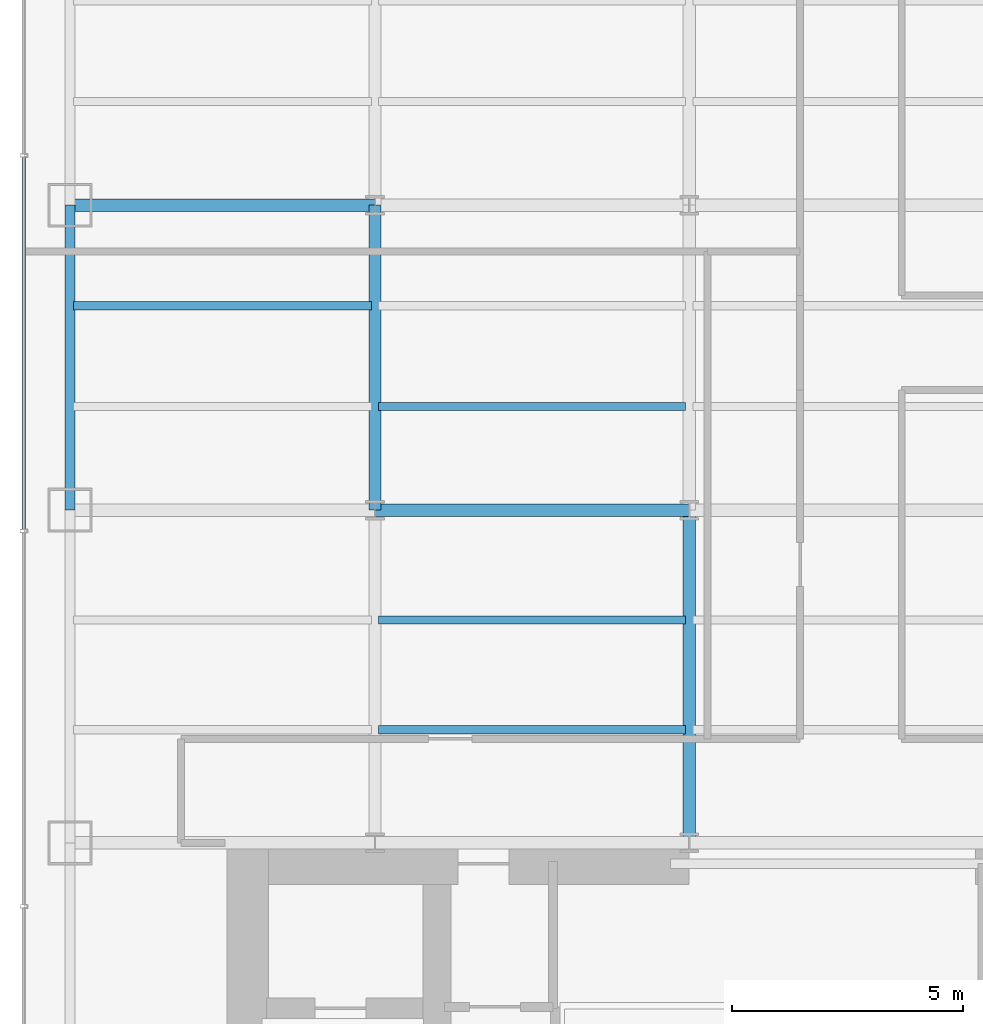
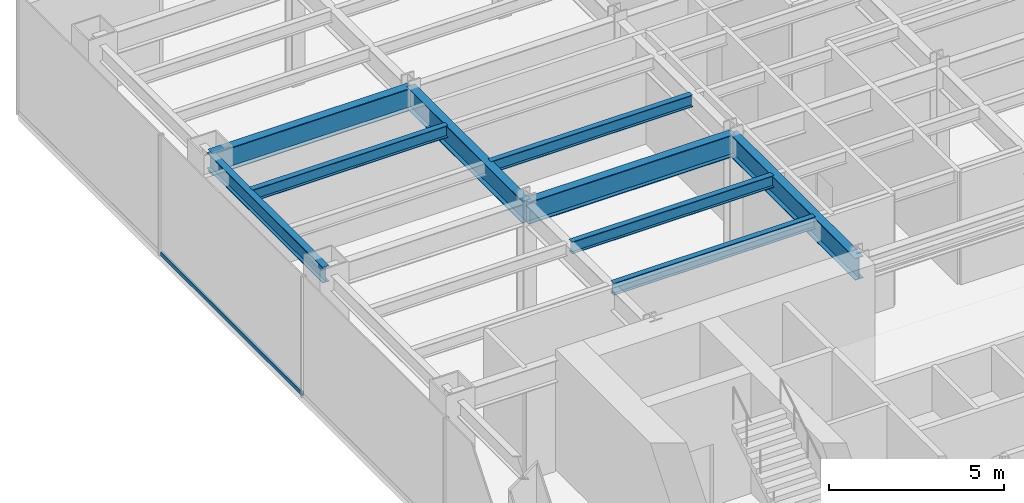
# One storey, part 5 of 35: 9 beams, 1 member, 1 element without a shape of its own.
"""IFC4 building model written with IfcOpenShell, lengths in metres."""

import ifcopenshell
import ifcopenshell.guid

model = None  # the IFC model being written
_history = None  # IfcOwnerHistory: only IFC2X3 demands one
_inside = {}  # id of a spatial element -> (the spatial element, [elements in it])
_under = {}  # id of a project, library or spatial element -> (it, [spatial elements below it])
_declared = {}  # id of a project -> (the project, [libraries it declares])
_typed = {}  # id of a type object -> (the type object, [elements of that type])
_made_of = {}  # id of a material, layer set ... -> (it, [elements and type objects made of it])


def new_model(schema):
    """Start an empty IFC model of exactly this schema.

    Asked for "IFC4X3", IfcOpenShell would pick the latest addendum, in which some entities
    have other attributes; the version numbers below select the first issue.
    IFC2X3 requires an IfcOwnerHistory on every rooted entity: one is made here for all.
    """
    global model, _history
    if schema == "IFC4X3":
        model = ifcopenshell.file(schema_version=(4, 3, 0, 0))
    else:
        model = ifcopenshell.file(schema=schema)
    _inside.clear()
    _under.clear()
    _declared.clear()
    _typed.clear()
    _made_of.clear()
    _history = None
    if model.schema == "IFC2X3":
        org = make("IfcOrganization", Name="unknown")
        user = make(
            "IfcPersonAndOrganization",
            ThePerson=make("IfcPerson", FamilyName="unknown"),
            TheOrganization=org,
        )
        app = make(
            "IfcApplication",
            ApplicationDeveloper=org,
            Version="unknown",
            ApplicationFullName="unknown",
            ApplicationIdentifier="unknown",
        )
        _history = make(
            "IfcOwnerHistory",
            OwningUser=user,
            OwningApplication=app,
            ChangeAction="ADDED",
            CreationDate=0,
        )
    return model


def make(cls, **values):
    """One entity of the class cls with the attributes given. An attribute that is None is left unset."""
    return model.create_entity(
        cls, **{name: value for name, value in values.items() if value is not None}
    )


def rooted(cls, **values):
    """An entity with a GlobalId (a new one), such as an element, a storey or a relation."""
    return make(cls, GlobalId=ifcopenshell.guid.new(), OwnerHistory=_history, **values)


def si_unit(unit_type, name, prefix=None):
    """IfcSIUnit, for example si_unit("LENGTHUNIT", "METRE", prefix="MILLI")."""
    return make("IfcSIUnit", UnitType=unit_type, Prefix=prefix, Name=name)


def derived_unit(unit_type, elements):
    """IfcDerivedUnit: a product of units, each with its exponent."""
    return make(
        "IfcDerivedUnit",
        Elements=[
            make("IfcDerivedUnitElement", Unit=unit, Exponent=power)
            for unit, power in elements
        ],
        UnitType=unit_type,
    )


def assignment(units):
    """IfcUnitAssignment: the units of a project."""
    return None if units is None else make("IfcUnitAssignment", Units=units)


def point(xyz):
    """IfcCartesianPoint."""
    return None if xyz is None else make("IfcCartesianPoint", Coordinates=xyz)


def direction(xyz):
    """IfcDirection."""
    return None if xyz is None else make("IfcDirection", DirectionRatios=xyz)


def frame(location, z_axis=None, x_axis=None):
    """IfcAxis2Placement3D, a coordinate frame: its origin and axes. An axis left out is left unset."""
    return make(
        "IfcAxis2Placement3D",
        Location=point(location),
        Axis=direction(z_axis),
        RefDirection=direction(x_axis),
    )


def frame_2d(location, x_axis=None):
    """IfcAxis2Placement2D, a coordinate frame in the plane: its origin and x axis."""
    return make(
        "IfcAxis2Placement2D", Location=point(location), RefDirection=direction(x_axis)
    )


def origin():
    """The frame at (0, 0, 0) with its axes left unset."""
    return frame((0.0, 0.0, 0.0))


def origin_2d():
    """The frame at (0, 0) in the plane with its x axis left unset."""
    return frame_2d((0.0, 0.0))


def place(relative_to, where):
    """IfcLocalPlacement: puts the frame where relative to a parent placement (None: the world)."""
    return make(
        "IfcLocalPlacement", PlacementRelTo=relative_to, RelativePlacement=where
    )


def context(
    kind, dimensions, precision=None, world=None, true_north=None, identifier=None
):
    """IfcGeometricRepresentationContext, for example the 3D "Model" context."""
    return make(
        "IfcGeometricRepresentationContext",
        ContextIdentifier=identifier,
        ContextType=kind,
        CoordinateSpaceDimension=dimensions,
        Precision=precision,
        WorldCoordinateSystem=world,
        TrueNorth=true_north,
    )


def subcontext(parent, identifier, kind, view, scale=None):
    """IfcGeometricRepresentationSubContext, for example "Body" below "Model"."""
    return make(
        "IfcGeometricRepresentationSubContext",
        ContextIdentifier=identifier,
        ContextType=kind,
        ParentContext=parent,
        TargetScale=scale,
        TargetView=view,
    )


def project(units=None, contexts=None):
    """IfcProject with its units and contexts."""
    return rooted(
        "IfcProject",
        Name="project",
        RepresentationContexts=contexts,
        UnitsInContext=assignment(units),
    )


def spatial(cls, under=None, at=None, **own):
    """A site, building, storey or space (cls), placed at a placement, below another one or the project."""
    s = rooted(cls, ObjectPlacement=at, **own)
    if under is not None:
        _under.setdefault(under.id(), (under, []))[1].append(s)
    return s


def profile(cls, at=None, kind="AREA", **sizes):
    """A parametric profile (cls). Its sizes go by their IFC names, for example OverallWidth=200.0."""
    return make(cls, ProfileType=kind, Position=at, **sizes)


def hollow_rectangle(**sizes):
    """IfcRectangleHollowProfileDef."""
    return profile("IfcRectangleHollowProfileDef", **sizes)


def i_section(**sizes):
    """IfcIShapeProfileDef."""
    return profile("IfcIShapeProfileDef", **sizes)


def extrude(swept, where, along, depth):
    """IfcExtrudedAreaSolid: the profile swept, set in the frame where, extruded along a direction by depth."""
    return make(
        "IfcExtrudedAreaSolid",
        SweptArea=swept,
        Position=where,
        ExtrudedDirection=direction(along),
        Depth=depth,
    )


def shape(context_of_items, identifier, shape_type, items):
    """IfcShapeRepresentation: the items that make up one representation, for example the "Body"."""
    return make(
        "IfcShapeRepresentation",
        ContextOfItems=context_of_items,
        RepresentationIdentifier=identifier,
        RepresentationType=shape_type,
        Items=items,
    )


def source(mapping_origin, context_of_items, identifier, shape_type, items):
    """IfcRepresentationMap: a shape defined once, which mapped items show again and again."""
    return make(
        "IfcRepresentationMap",
        MappingOrigin=mapping_origin,
        MappedRepresentation=shape(context_of_items, identifier, shape_type, items),
    )


def transform(
    local_origin,
    x_axis=None,
    y_axis=None,
    z_axis=None,
    scale=None,
    scale2=None,
    scale3=None,
    uniform=True,
):
    """IfcCartesianTransformationOperator3D, or its non-uniform kind. x_axis, y_axis, z_axis: its Axis1, 2, 3."""
    if uniform:
        return make(
            "IfcCartesianTransformationOperator3D",
            Axis1=direction(x_axis),
            Axis2=direction(y_axis),
            LocalOrigin=point(local_origin),
            Scale=scale,
            Axis3=direction(z_axis),
        )
    return make(
        "IfcCartesianTransformationOperator3DnonUniform",
        Axis1=direction(x_axis),
        Axis2=direction(y_axis),
        LocalOrigin=point(local_origin),
        Scale=scale,
        Axis3=direction(z_axis),
        Scale2=scale2,
        Scale3=scale3,
    )


def mapped(mapping_source, mapping_target):
    """IfcMappedItem: shows the shape of a source again, moved by a transform."""
    return make(
        "IfcMappedItem", MappingSource=mapping_source, MappingTarget=mapping_target
    )


def material(Name=None, Category=None):
    """IfcMaterial."""
    return make("IfcMaterial", Name=Name, Category=Category)


def material_profile(
    of_material, cross_section, Name=None, Category=None, Priority=None
):
    """IfcMaterialProfile: a cross section and its material."""
    return make(
        "IfcMaterialProfile",
        Name=Name,
        Material=of_material,
        Profile=cross_section,
        Priority=Priority,
        Category=Category,
    )


def profile_set(profiles, Name=None, composite=None):
    """IfcMaterialProfileSet."""
    return make(
        "IfcMaterialProfileSet",
        Name=Name,
        MaterialProfiles=profiles,
        CompositeProfile=composite,
    )


def made_of(thing, what):
    """Note that an element or type object is made of a material, layer set ...; save() writes the relation."""
    if what is not None:
        _made_of.setdefault(what.id(), (what, []))[1].append(thing)
    return thing


def type_object(cls, material=None, **own):
    """A type object (cls), such as IfcWallType, which elements share."""
    return made_of(rooted(cls, **own), material)


def element(
    cls,
    number,
    at=None,
    inside=None,
    cuts=None,
    type_object=None,
    material=None,
    context=None,
    identifier="Body",
    shape_type=None,
    held_by="IfcProductDefinitionShape",
    body=None,
    shapes=None,
    **own,
):
    """One element of the class cls, such as IfcWall. Its Tag is "e" and its number.

    at: its placement. inside: the storey or other place that contains it. cuts: it is an
    opening in that element (IfcRelVoidsElement). A single representation is given by context,
    identifier, shape_type and body (its items); several are given by shapes. held_by: the class
    of the entity that holds the representations. save() writes the other relations.
    """
    e = rooted(cls, Tag="e%d" % number, ObjectPlacement=at, **own)
    if body is not None:
        shapes = [shape(context, identifier, shape_type, body)]
    if shapes is not None:
        e.Representation = make(held_by, Representations=shapes)
    if inside is not None:
        _inside.setdefault(inside.id(), (inside, []))[1].append(e)
    if cuts is not None:
        rooted(
            "IfcRelVoidsElement", RelatingBuildingElement=cuts, RelatedOpeningElement=e
        )
    if type_object is not None:
        _typed.setdefault(type_object.id(), (type_object, []))[1].append(e)
    return made_of(e, material)


def aggregate(whole, parts):
    """IfcRelAggregates: a whole, such as a stair, and the parts it consists of."""
    return rooted("IfcRelAggregates", RelatingObject=whole, RelatedObjects=parts)


def save(model, path):
    """Write the relations noted so far, then the file.

    IfcRelAggregates (storeys below a building ...), IfcRelContainedInSpatialStructure (elements
    in a storey), IfcRelDefinesByType, IfcRelAssociatesMaterial and IfcRelDeclares: one each for
    every whole, place, type object, material and project.
    """
    for whole, parts in _under.values():
        aggregate(whole, parts)
    for where, things in _inside.values():
        rooted(
            "IfcRelContainedInSpatialStructure",
            RelatedElements=things,
            RelatingStructure=where,
        )
    for kind, things in _typed.values():
        rooted("IfcRelDefinesByType", RelatedObjects=things, RelatingType=kind)
    for what, things in _made_of.values():
        rooted("IfcRelAssociatesMaterial", RelatedObjects=things, RelatingMaterial=what)
    for by, libraries in _declared.values():
        rooted("IfcRelDeclares", RelatingContext=by, RelatedDefinitions=libraries)
    model.write(path)


model = new_model("IFC4")

# Units and contexts
model_context = context("Model", 3, precision=1e-05, world=origin(), true_north=direction((0.0, 1.0)))
body_context = subcontext(model_context, "Body", "Model", "MODEL_VIEW")
ifc_project = project(units=[si_unit("LENGTHUNIT", "METRE"), si_unit("AREAUNIT", "SQUARE_METRE"), si_unit("VOLUMEUNIT", "CUBIC_METRE"), si_unit("PLANEANGLEUNIT", "RADIAN"), si_unit("MASSUNIT", "GRAM", prefix="KILO"), derived_unit("THERMALTRANSMITTANCEUNIT", [(si_unit("POWERUNIT", "WATT"), 1), (si_unit("LENGTHUNIT", "METRE"), -2), (si_unit("THERMODYNAMICTEMPERATUREUNIT", "KELVIN"), -1)])], contexts=[model_context])

# Site, building, storey
site_placement = place(None, origin())
site = spatial("IfcSite", under=ifc_project, at=site_placement, CompositionType="ELEMENT")
building_placement = place(site_placement, origin())
building = spatial("IfcBuilding", under=site, at=building_placement, Name="Skarnbrae Concourse Arena and Tower", CompositionType="ELEMENT")
storey_placement = place(building_placement, frame((0.0, 0.0, 79.949951171875)))
storey = spatial("IfcBuildingStorey", under=building, at=storey_placement, Name="L19", CompositionType="ELEMENT", Elevation=79.949951171875)

# Beams
ifc_material_1 = material(Name="Steel CSA G40.21 350W", Category="steel")
ifc_material_profile_1 = material_profile(ifc_material_1, i_section(OverallWidth=0.26806640625, OverallDepth=0.77001953125, WebThickness=0.015625, FlangeThickness=0.025390625, at=origin_2d()), Name="W760X196")
ifc_profile_set_1 = profile_set([ifc_material_profile_1], Name="Steel CSA G40.21 350W")
beam_type_1 = type_object("IfcBeamType", Name="BM-GIRD-W760X196", PredefinedType="BEAM", material=ifc_profile_set_1)
shared_shape_1 = source(origin(), body_context, "Body", "SweptSolid", [
    extrude(i_section(OverallWidth=0.26806640625, OverallDepth=0.77001953125, WebThickness=0.015625, FlangeThickness=0.025390625, at=origin_2d()), origin(), (0.0, 0.0, 1.0), 6.60009765625),
])
for number, where, z_axis, x_axis, name in (
    (1, (1.0, 27.800048828125, 3.51513671875), (1.0, 0.0, 0.0), (0.0, 1.0, 0.0), "L19 Primary E-W girder Y27.8-1"),
    (2, (7.60009765625, 21.199951171875, 3.51513671875), (0.0, 1.0, 0.0), (-1.0, 0.0, 0.0), "L19 Primary N-S girder X7.6-2"),
):
    element("IfcBeam", number, at=place(storey_placement, frame(where, z_axis=z_axis, x_axis=x_axis)), inside=storey, type_object=beam_type_1, Name=name, PredefinedType="BEAM", context=body_context, shape_type="MappedRepresentation", body=[
        mapped(shared_shape_1, transform((0.0, 0.0, 0.0))),
    ])
shared_shape_2 = source(origin(), body_context, "Body", "SweptSolid", [
    extrude(i_section(OverallWidth=0.26806640625, OverallDepth=0.77001953125, WebThickness=0.015625, FlangeThickness=0.025390625, at=origin_2d()), origin(), (0.0, 0.0, 1.0), 6.7998046875),
])
beam_1_placement = place(storey_placement, frame((7.60009765625, 21.199951171875, 3.51513671875), z_axis=(1.0, 0.0, 0.0), x_axis=(0.0, 1.0, 0.0)))
element("IfcBeam", 3, at=beam_1_placement, inside=storey, type_object=beam_type_1, Name="L19 Primary E-W girder Y21.2-2", PredefinedType="BEAM", context=body_context, shape_type="MappedRepresentation", body=[
    mapped(shared_shape_2, transform((0.0, 0.0, 0.0))),
])
ifc_material_profile_2 = material_profile(ifc_material_1, i_section(OverallWidth=0.214111328125, OverallDepth=0.549072265625, WebThickness=0.0146484375, FlangeThickness=0.023681640625, at=origin_2d()), Name="W530X138")
ifc_profile_set_2 = profile_set([ifc_material_profile_2], Name="Steel CSA G40.21 350W")
beam_type_2 = type_object("IfcBeamType", Name="BM-SPAN-W530X138", PredefinedType="SPANDREL", material=ifc_profile_set_2)
shared_shape_3 = source(origin(), body_context, "Body", "SweptSolid", [
    extrude(i_section(OverallWidth=0.214111328125, OverallDepth=0.549072265625, WebThickness=0.0146484375, FlangeThickness=0.023681640625, at=origin_2d()), origin(), (0.0, 0.0, 1.0), 6.60009765625),
])
beam_2_placement = place(storey_placement, frame((1.0, 21.199951171875, 3.62548828125), z_axis=(0.0, 1.0, 0.0), x_axis=(-1.0, 0.0, 0.0)))
element("IfcBeam", 4, at=beam_2_placement, inside=storey, type_object=beam_type_2, Name="L19 Perimeter spandrel X1.0-3", PredefinedType="SPANDREL", context=body_context, shape_type="MappedRepresentation", body=[
    mapped(shared_shape_3, transform((0.0, 0.0, 0.0))),
])
shared_shape_4 = source(origin(), body_context, "Body", "SweptSolid", [
    extrude(i_section(OverallWidth=0.26806640625, OverallDepth=0.77001953125, WebThickness=0.015625, FlangeThickness=0.025390625, at=origin_2d()), origin(), (0.0, 0.0, 1.0), 7.199951171875),
])
beam_3_placement = place(storey_placement, frame((14.39990234375, 14.0, 3.51513671875), z_axis=(0.0, 1.0, 0.0), x_axis=(-1.0, 0.0, 0.0)))
element("IfcBeam", 5, at=beam_3_placement, inside=storey, type_object=beam_type_1, Name="L19 Primary N-S girder X14.4-1", PredefinedType="BEAM", context=body_context, shape_type="MappedRepresentation", body=[
    mapped(shared_shape_4, transform((0.0, 0.0, 0.0))),
])
ifc_material_profile_3 = material_profile(ifc_material_1, i_section(OverallWidth=0.180908203125, OverallDepth=0.4169921875, WebThickness=0.010986328125, FlangeThickness=0.018310546875, at=origin_2d()), Name="W410X85")
ifc_profile_set_3 = profile_set([ifc_material_profile_3], Name="Steel CSA G40.21 350W")
beam_type_3 = type_object("IfcBeamType", Name="BM-JOIST-W410X85", PredefinedType="JOIST", material=ifc_profile_set_3)
shared_shape_5 = source(origin(), body_context, "Body", "SweptSolid", [
    extrude(i_section(OverallWidth=0.180908203125, OverallDepth=0.4169921875, WebThickness=0.010986328125, FlangeThickness=0.018310546875, at=origin_2d()), origin(), (0.0, 0.0, 1.0), 6.43994140625),
])
beam_4_placement = place(storey_placement, frame((1.080078125, 25.6220703125, 3.691650390625), z_axis=(1.0, 0.0, 0.0), x_axis=(0.0, 1.0, 0.0)))
element("IfcBeam", 6, at=beam_4_placement, inside=storey, type_object=beam_type_3, Name="L19 Secondary floor joist 2.2.1", PredefinedType="JOIST", context=body_context, shape_type="MappedRepresentation", body=[
    mapped(shared_shape_5, transform((0.0, 0.0, 0.0))),
])
shared_shape_6 = source(origin(), body_context, "Body", "SweptSolid", [
    extrude(i_section(OverallWidth=0.180908203125, OverallDepth=0.4169921875, WebThickness=0.010986328125, FlangeThickness=0.018310546875, at=origin_2d()), origin(), (0.0, 0.0, 1.0), 6.64013671875),
])
for number, where, z_axis, x_axis, name in (
    (7, (7.679931640625, 16.447998046875, 3.691650390625), (1.0, 0.0, 0.0), (0.0, 1.0, 0.0), "L19 Secondary floor joist 1.1.2"),
    (8, (7.679931640625, 18.823974609375, 3.691650390625), (1.0, 0.0, 0.0), (0.0, 1.0, 0.0), "L19 Secondary floor joist 1.2.2"),
    (9, (7.679931640625, 23.444091796875, 3.691650390625), (1.0, 0.0, 0.0), (0.0, 1.0, 0.0), "L19 Secondary floor joist 2.1.2"),
):
    element("IfcBeam", number, at=place(storey_placement, frame(where, z_axis=z_axis, x_axis=x_axis)), inside=storey, type_object=beam_type_3, Name=name, PredefinedType="JOIST", context=body_context, shape_type="MappedRepresentation", body=[
        mapped(shared_shape_6, transform((0.0, 0.0, 0.0))),
    ])

# Curtain wall, member
ifc_material_2 = material(Name="Bronze anodised aluminium 6063-T6", Category="aluminium")
curtain_wall_type = type_object("IfcCurtainWallType", Name="CW-SYS-06-SKYLOBBY", PredefinedType="USERDEFINED", material=ifc_material_2)
curtain_wall_placement = place(storey_placement, origin())
curtain_wall = element("IfcCurtainWall", 10, at=curtain_wall_placement, inside=storey, type_object=curtain_wall_type, Name="L19 Unitised curtain wall CW-L19-E19", ObjectType="UNITISED CURTAIN WALL", PredefinedType="USERDEFINED")
ifc_material_profile_4 = material_profile(ifc_material_2, hollow_rectangle(XDim=0.070068359375, YDim=0.135009765625, WallThickness=0.00390625, at=origin_2d()), Name="ALU-TRAN-70X135")
ifc_profile_set_4 = profile_set([ifc_material_profile_4], Name="Bronze anodised aluminium 6063-T6")
member_type = type_object("IfcMemberType", Name="CWT-CW-06", PredefinedType="USERDEFINED", material=ifc_profile_set_4)
shared_shape_7 = source(origin(), body_context, "Body", "SweptSolid", [
    extrude(hollow_rectangle(XDim=0.070068359375, YDim=0.135009765625, WallThickness=0.00390625, at=origin_2d()), origin(), (0.0, 0.0, 1.0), 8.05517578125),
])
member_placement = place(storey_placement, frame((0.0, 28.840087890625, 0.067626953125), z_axis=(0.0, -1.0, 0.0), x_axis=(1.0, 0.0, 0.0)))
member = element("IfcMember", 11, at=member_placement, type_object=member_type, Name="CW-L19-E19 Transom 2", ObjectType="TRANSOM", PredefinedType="USERDEFINED", context=body_context, shape_type="MappedRepresentation", body=[
    mapped(shared_shape_7, transform((0.0, 0.0, 0.0))),
])
aggregate(curtain_wall, [member])

save(model, "model.ifc")
